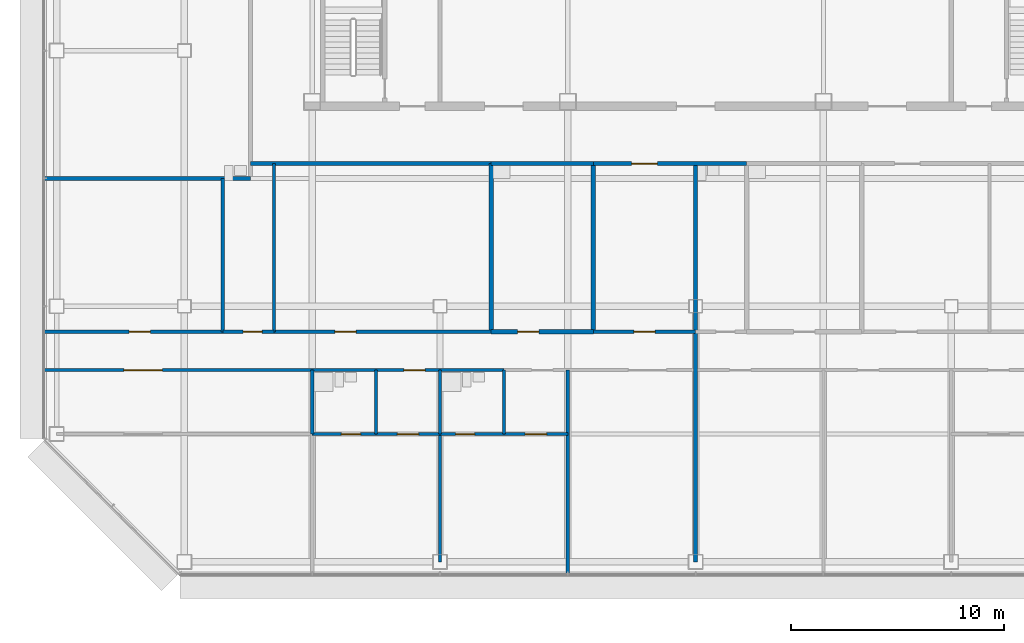
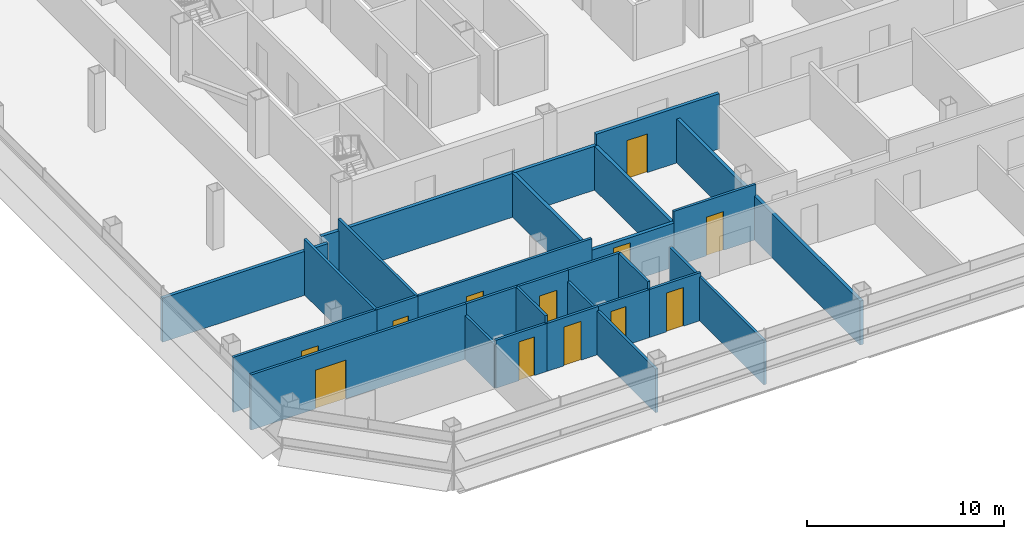
# One storey, part 19 of 26: 28 walls, 12 doors, 12 openings.
"""IFC4 building model written with IfcOpenShell, lengths in metres."""

from ifc_helpers import new_model, si_unit, direction, frame, frame_2d, origin, place, context, subcontext, project, spatial, rectangle, extrude, material, layer, layer_set, type_object, element, fill, save


model = new_model("IFC4")

# Units and contexts
model_context = context("Model", 3, precision=1e-05, world=origin(), true_north=direction((0.0, 1.0)))
body_context = subcontext(model_context, "Body", "Model", "MODEL_VIEW")
ifc_project = project(units=[si_unit("LENGTHUNIT", "METRE"), si_unit("AREAUNIT", "SQUARE_METRE"), si_unit("VOLUMEUNIT", "CUBIC_METRE"), si_unit("PLANEANGLEUNIT", "RADIAN"), si_unit("MASSUNIT", "GRAM", prefix="KILO")], contexts=[model_context])

# Site, building, storey
site_placement = place(None, origin())
site = spatial("IfcSite", under=ifc_project, at=site_placement, CompositionType="ELEMENT")
building_placement = place(site_placement, origin())
building = spatial("IfcBuilding", under=site, at=building_placement, Name="Sorahane Residences", CompositionType="ELEMENT")
storey_placement = place(building_placement, frame((0.0, 0.0, 154.60009765625)))
storey = spatial("IfcBuildingStorey", under=building, at=storey_placement, Name="L35", CompositionType="ELEMENT", Elevation=154.60009765625)

# Walls
ifc_material_1 = material(Name="Concrete blockwork C20 wall", Category="masonry")
ifc_layer_1 = layer(ifc_material_1, 0.199951171875)
ifc_layer_set_1 = layer_set([ifc_layer_1], Name="Corridor wall 200 EI 120")
wall_type_1 = type_object("IfcWallType", Name="Corridor wall 200 EI 120", PredefinedType="SOLIDWALL", material=ifc_layer_set_1)
wall_1_placement = place(storey_placement, frame((-6.60009765625, 18.0, 0.0), z_axis=(0.0, 0.0, 1.0), x_axis=(1.0, 0.0, 0.0)))
element("IfcWall", 1, at=wall_1_placement, inside=storey, type_object=wall_type_1, Name="L35 corridor wall", PredefinedType="SOLIDWALL", context=body_context, shape_type="SweptSolid", body=[
    extrude(rectangle(XDim=9.7001953125, YDim=0.199951171875, at=frame_2d((4.85009765625, 0.0))), origin(), (0.0, 0.0, 1.0), 2.719970703125),
])
wall_2_placement = place(storey_placement, frame((3.10009765625, 18.699951171875, 0.0), z_axis=(0.0, 0.0, 1.0), x_axis=(1.0, 0.0, 0.0)))
element("IfcWall", 2, at=wall_2_placement, inside=storey, type_object=wall_type_1, Name="L35 corridor wall", PredefinedType="SOLIDWALL", context=body_context, shape_type="SweptSolid", body=[
    extrude(rectangle(XDim=11.2998046875, YDim=0.199951171875, at=frame_2d((5.64990234375, 0.0))), origin(), (0.0, 0.0, 1.0), 2.719970703125),
])

# Wall, opening, door
wall_3_placement = place(storey_placement, frame((19.199951171875, 18.699951171875, 0.0), z_axis=(0.0, 0.0, 1.0), x_axis=(1.0, 0.0, 0.0)))
wall_3 = element("IfcWall", 3, at=wall_3_placement, inside=storey, type_object=wall_type_1, Name="L35 corridor wall", PredefinedType="SOLIDWALL", context=body_context, shape_type="SweptSolid", body=[
    extrude(rectangle(XDim=7.199951171875, YDim=0.199951171875, at=frame_2d((3.60009765625, 0.0))), origin(), (0.0, 0.0, 1.0), 3.419921875),
])
opening_1_placement = place(wall_3_placement, frame((1.800048828125, 0.0, 0.0)))
opening_1 = element("IfcOpeningElement", 4, at=opening_1_placement, cuts=wall_3, Name="Opening L35-42", PredefinedType="OPENING", context=body_context, shape_type="SweptSolid", body=[
    extrude(rectangle(XDim=1.199951171875, YDim=2.39990234375, at=frame_2d((0.60009765625, 1.199951171875))), frame((0.0, 0.10986328125, 0.0), z_axis=(0.0, -1.0, 0.0), x_axis=(1.0, 0.0, 0.0)), (0.0, 0.0, 1.0), 0.219970703125),
])
ifc_material_2 = material(Name="Timber veneered fire door", Category="wood")
door_type_1 = type_object("IfcDoorType", Name="Flat entrance door 1200x2400 FD60", OperationType="NOTDEFINED", PredefinedType="DOOR", material=ifc_material_2)
door_1_placement = place(opening_1_placement, frame((1.199951171875, 0.0, 0.0), z_axis=(0.0, 0.0, 1.0), x_axis=(-1.0, 0.0, 0.0)))
door_1 = element("IfcDoor", 5, at=door_1_placement, inside=storey, type_object=door_type_1, Name="Flat entrance door L35-42", OperationType="SINGLE_SWING_LEFT", OverallHeight=2.39990234375, OverallWidth=1.199951171875, PredefinedType="DOOR", context=body_context, shape_type="SweptSolid", body=[
    extrude(rectangle(XDim=1.199951171875, YDim=2.39990234375, at=frame_2d((0.60009765625, 1.199951171875))), frame((0.0, 0.02490234375, 0.0), z_axis=(0.0, -1.0, 0.0), x_axis=(1.0, 0.0, 0.0)), (0.0, 0.0, 1.0), 0.050048828125),
])
fill(opening_1, door_1)

# Walls
ifc_material_3 = material(Name="Concrete blockwork C20 wall", Category="masonry")
ifc_layer_2 = layer(ifc_material_3, 0.199951171875)
ifc_layer_set_2 = layer_set([ifc_layer_2], Name="Kitchen wall 200 EI 180")
wall_type_2 = type_object("IfcWallType", Name="Kitchen wall 200 EI 180", PredefinedType="SOLIDWALL", material=ifc_layer_set_2)
for number, where, z_axis, x_axis, name in (
    (6, (14.39990234375, 10.800048828125, 0.0), (0.0, 0.0, 1.0), (0.0, 1.0, 0.0), "L35 kitchen wall"),
    (7, (19.199951171875, 10.800048828125, 0.0), (0.0, 0.0, 1.0), (0.0, 1.0, 0.0), "L35 kitchen wall"),
):
    element("IfcWall", number, at=place(storey_placement, frame(where, z_axis=z_axis, x_axis=x_axis)), inside=storey, type_object=wall_type_2, Name=name, PredefinedType="SOLIDWALL", context=body_context, shape_type="SweptSolid", body=[
        extrude(rectangle(XDim=7.89990234375, YDim=0.199951171875, at=frame_2d((3.949951171875, 0.0))), origin(), (0.0, 0.0, 1.0), 2.719970703125),
    ])

# Wall, opening, door
wall_4_placement = place(storey_placement, frame((14.39990234375, 10.800048828125, 0.0), z_axis=(0.0, 0.0, 1.0), x_axis=(1.0, 0.0, 0.0)))
wall_4 = element("IfcWall", 8, at=wall_4_placement, inside=storey, type_object=wall_type_2, Name="L35 kitchen wall", PredefinedType="SOLIDWALL", context=body_context, shape_type="SweptSolid", body=[
    extrude(rectangle(XDim=4.800048828125, YDim=0.199951171875, at=frame_2d((2.39990234375, 0.0))), origin(), (0.0, 0.0, 1.0), 2.719970703125),
])
opening_2_placement = place(wall_4_placement, frame((1.239990234375, 0.0, 0.0)))
opening_2 = element("IfcOpeningElement", 9, at=opening_2_placement, cuts=wall_4, Name="Opening L35-05", PredefinedType="OPENING", context=body_context, shape_type="SweptSolid", body=[
    extrude(rectangle(XDim=1.0, YDim=2.39990234375, at=frame_2d((0.5, 1.199951171875))), frame((0.0, 0.10986328125, 0.0), z_axis=(0.0, -1.0, 0.0), x_axis=(1.0, 0.0, 0.0)), (0.0, 0.0, 1.0), 0.219970703125),
])
ifc_material_4 = material(Name="Steel", Category="steel")
door_type_2 = type_object("IfcDoorType", Name="Kitchen door 1000x2400 FD120", OperationType="NOTDEFINED", PredefinedType="DOOR", material=ifc_material_4)
door_2_placement = place(opening_2_placement, origin())
door_2 = element("IfcDoor", 10, at=door_2_placement, inside=storey, type_object=door_type_2, Name="Kitchen door L35-05", OperationType="SINGLE_SWING_LEFT", OverallHeight=2.39990234375, OverallWidth=1.0, PredefinedType="DOOR", context=body_context, shape_type="SweptSolid", body=[
    extrude(rectangle(XDim=1.0, YDim=2.39990234375, at=frame_2d((0.5, 1.199951171875))), frame((0.0, 0.02490234375, 0.0), z_axis=(0.0, -1.0, 0.0), x_axis=(1.0, 0.0, 0.0)), (0.0, 0.0, 1.0), 0.050048828125),
])
fill(opening_2, door_2)

# Walls
wall_5_placement = place(storey_placement, frame((14.39990234375, 18.699951171875, 0.0), z_axis=(0.0, 0.0, 1.0), x_axis=(1.0, 0.0, 0.0)))
element("IfcWall", 11, at=wall_5_placement, inside=storey, type_object=wall_type_2, Name="L35 kitchen wall", PredefinedType="SOLIDWALL", context=body_context, shape_type="SweptSolid", body=[
    extrude(rectangle(XDim=4.800048828125, YDim=0.199951171875, at=frame_2d((2.39990234375, 0.0))), origin(), (0.0, 0.0, 1.0), 2.719970703125),
])
ifc_material_5 = material(Name="Gypsum board partition on steel studs", Category="steel")
ifc_layer_3 = layer(ifc_material_5, 0.14990234375)
ifc_layer_set_3 = layer_set([ifc_layer_3], Name="Partition 150 EI 90")
wall_type_3 = type_object("IfcWallType", Name="Partition 150 EI 90", PredefinedType="PARTITIONING", material=ifc_layer_set_3)
wall_6_placement = place(storey_placement, frame((12.0, 0.0, 0.0), z_axis=(0.0, 0.0, 1.0), x_axis=(0.0, 1.0, 0.0)))
element("IfcWall", 12, at=wall_6_placement, inside=storey, type_object=wall_type_3, Name="L35 partition", PredefinedType="PARTITIONING", context=body_context, shape_type="SweptSolid", body=[
    extrude(rectangle(XDim=6.0, YDim=0.14990234375, at=frame_2d((3.0, 0.0))), origin(), (0.0, 0.0, 1.0), 2.719970703125),
])
wall_7_placement = place(storey_placement, frame((18.0, -0.60009765625, 0.0), z_axis=(0.0, 0.0, 1.0), x_axis=(0.0, 1.0, 0.0)))
element("IfcWall", 13, at=wall_7_placement, inside=storey, type_object=wall_type_3, Name="L35 partition", PredefinedType="PARTITIONING", context=body_context, shape_type="SweptSolid", body=[
    extrude(rectangle(XDim=9.60009765625, YDim=0.14990234375, at=frame_2d((4.800048828125, 0.0))), origin(), (0.0, 0.0, 1.0), 2.719970703125),
])

# Wall, opening, door
wall_8_placement = place(storey_placement, frame((-6.60009765625, 10.800048828125, 0.0), z_axis=(0.0, 0.0, 1.0), x_axis=(1.0, 0.0, 0.0)))
wall_8 = element("IfcWall", 14, at=wall_8_placement, inside=storey, type_object=wall_type_3, Name="L35 partition", PredefinedType="PARTITIONING", context=body_context, shape_type="SweptSolid", body=[
    extrude(rectangle(XDim=8.400146484375, YDim=0.14990234375, at=frame_2d((4.2001953125, 0.0))), origin(), (0.0, 0.0, 1.0), 3.419921875),
])
opening_3_placement = place(wall_8_placement, frame((4.0, 0.0, 0.0)))
opening_3 = element("IfcOpeningElement", 15, at=opening_3_placement, cuts=wall_8, Name="Opening L35-02", PredefinedType="OPENING", context=body_context, shape_type="SweptSolid", body=[
    extrude(rectangle(XDim=1.0, YDim=2.39990234375, at=frame_2d((0.5, 1.199951171875))), frame((0.0, 0.0849609375, 0.0), z_axis=(0.0, -1.0, 0.0), x_axis=(1.0, 0.0, 0.0)), (0.0, 0.0, 1.0), 0.169921875),
])
ifc_material_6 = material(Name="Timber veneered fire door", Category="wood")
door_type_3 = type_object("IfcDoorType", Name="Room door 1000x2400 FD30", OperationType="NOTDEFINED", PredefinedType="DOOR", material=ifc_material_6)
door_3_placement = place(opening_3_placement, origin())
door_3 = element("IfcDoor", 16, at=door_3_placement, inside=storey, type_object=door_type_3, Name="Room door L35-02", OperationType="SINGLE_SWING_LEFT", OverallHeight=2.39990234375, OverallWidth=1.0, PredefinedType="DOOR", context=body_context, shape_type="SweptSolid", body=[
    extrude(rectangle(XDim=1.0, YDim=2.39990234375, at=frame_2d((0.5, 1.199951171875))), frame((0.0, 0.02490234375, 0.0), z_axis=(0.0, -1.0, 0.0), x_axis=(1.0, 0.0, 0.0)), (0.0, 0.0, 1.0), 0.050048828125),
])
fill(opening_3, door_3)

wall_9_placement = place(storey_placement, frame((4.199951171875, 10.800048828125, 0.0), z_axis=(0.0, 0.0, 1.0), x_axis=(1.0, 0.0, 0.0)))
wall_9 = element("IfcWall", 17, at=wall_9_placement, inside=storey, type_object=wall_type_3, Name="L35 partition", PredefinedType="PARTITIONING", context=body_context, shape_type="SweptSolid", body=[
    extrude(rectangle(XDim=10.199951171875, YDim=0.14990234375, at=frame_2d((5.10009765625, 0.0))), origin(), (0.0, 0.0, 1.0), 3.419921875),
])
opening_4_placement = place(wall_9_placement, frame((2.860107421875, 0.0, 0.0)))
opening_4 = element("IfcOpeningElement", 18, at=opening_4_placement, cuts=wall_9, Name="Opening L35-04", PredefinedType="OPENING", context=body_context, shape_type="SweptSolid", body=[
    extrude(rectangle(XDim=1.0, YDim=2.39990234375, at=frame_2d((0.5, 1.199951171875))), frame((0.0, 0.0849609375, 0.0), z_axis=(0.0, -1.0, 0.0), x_axis=(1.0, 0.0, 0.0)), (0.0, 0.0, 1.0), 0.169921875),
])
door_4_placement = place(opening_4_placement, origin())
door_4 = element("IfcDoor", 19, at=door_4_placement, inside=storey, type_object=door_type_3, Name="Room door L35-04", OperationType="SINGLE_SWING_LEFT", OverallHeight=2.39990234375, OverallWidth=1.0, PredefinedType="DOOR", context=body_context, shape_type="SweptSolid", body=[
    extrude(rectangle(XDim=1.0, YDim=2.39990234375, at=frame_2d((0.5, 1.199951171875))), frame((0.0, 0.02490234375, 0.0), z_axis=(0.0, -1.0, 0.0), x_axis=(1.0, 0.0, 0.0)), (0.0, 0.0, 1.0), 0.050048828125),
])
fill(opening_4, door_4)

wall_10_placement = place(storey_placement, frame((19.199951171875, 10.800048828125, 0.0), z_axis=(0.0, 0.0, 1.0), x_axis=(1.0, 0.0, 0.0)))
wall_10 = element("IfcWall", 20, at=wall_10_placement, inside=storey, type_object=wall_type_3, Name="L35 partition", PredefinedType="PARTITIONING", context=body_context, shape_type="SweptSolid", body=[
    extrude(rectangle(XDim=4.800048828125, YDim=0.14990234375, at=frame_2d((2.39990234375, 0.0))), origin(), (0.0, 0.0, 1.0), 3.419921875),
])
opening_5_placement = place(wall_10_placement, frame((1.89990234375, 0.0, 0.0)))
opening_5 = element("IfcOpeningElement", 21, at=opening_5_placement, cuts=wall_10, Name="Opening L35-01", PredefinedType="OPENING", context=body_context, shape_type="SweptSolid", body=[
    extrude(rectangle(XDim=1.0, YDim=2.39990234375, at=frame_2d((0.5, 1.199951171875))), frame((0.0, 0.0849609375, 0.0), z_axis=(0.0, -1.0, 0.0), x_axis=(1.0, 0.0, 0.0)), (0.0, 0.0, 1.0), 0.169921875),
])
door_5_placement = place(opening_5_placement, frame((1.0, 0.0, 0.0), z_axis=(0.0, 0.0, 1.0), x_axis=(-1.0, 0.0, 0.0)))
door_5 = element("IfcDoor", 22, at=door_5_placement, inside=storey, type_object=door_type_3, Name="Room door L35-01", OperationType="SINGLE_SWING_LEFT", OverallHeight=2.39990234375, OverallWidth=1.0, PredefinedType="DOOR", context=body_context, shape_type="SweptSolid", body=[
    extrude(rectangle(XDim=1.0, YDim=2.39990234375, at=frame_2d((0.5, 1.199951171875))), frame((0.0, 0.02490234375, 0.0), z_axis=(0.0, -1.0, 0.0), x_axis=(1.0, 0.0, 0.0)), (0.0, 0.0, 1.0), 0.050048828125),
])
fill(opening_5, door_5)

wall_11_placement = place(storey_placement, frame((9.0, 6.0, 0.0), z_axis=(0.0, 0.0, 1.0), x_axis=(1.0, 0.0, 0.0)))
wall_11 = element("IfcWall", 23, at=wall_11_placement, inside=storey, type_object=wall_type_3, Name="L35 partition", PredefinedType="PARTITIONING", context=body_context, shape_type="SweptSolid", body=[
    extrude(rectangle(XDim=3.0, YDim=0.14990234375, at=frame_2d((1.5, 0.0))), origin(), (0.0, 0.0, 1.0), 2.969970703125),
])
opening_6_placement = place(wall_11_placement, frame((1.0, 0.0, 0.0)))
opening_6 = element("IfcOpeningElement", 24, at=opening_6_placement, cuts=wall_11, Name="Opening L35-11", PredefinedType="OPENING", context=body_context, shape_type="SweptSolid", body=[
    extrude(rectangle(XDim=1.0, YDim=2.39990234375, at=frame_2d((0.5, 1.199951171875))), frame((0.0, 0.0849609375, 0.0), z_axis=(0.0, -1.0, 0.0), x_axis=(1.0, 0.0, 0.0)), (0.0, 0.0, 1.0), 0.169921875),
])
door_6_placement = place(opening_6_placement, frame((1.0, 0.0, 0.0), z_axis=(0.0, 0.0, 1.0), x_axis=(-1.0, 0.0, 0.0)))
door_6 = element("IfcDoor", 25, at=door_6_placement, inside=storey, type_object=door_type_3, Name="Room door L35-11", OperationType="SINGLE_SWING_LEFT", OverallHeight=2.39990234375, OverallWidth=1.0, PredefinedType="DOOR", context=body_context, shape_type="SweptSolid", body=[
    extrude(rectangle(XDim=1.0, YDim=2.39990234375, at=frame_2d((0.5, 1.199951171875))), frame((0.0, 0.02490234375, 0.0), z_axis=(0.0, -1.0, 0.0), x_axis=(1.0, 0.0, 0.0)), (0.0, 0.0, 1.0), 0.050048828125),
])
fill(opening_6, door_6)

wall_12_placement = place(storey_placement, frame((15.0, 6.0, 0.0), z_axis=(0.0, 0.0, 1.0), x_axis=(1.0, 0.0, 0.0)))
wall_12 = element("IfcWall", 26, at=wall_12_placement, inside=storey, type_object=wall_type_3, Name="L35 partition", PredefinedType="PARTITIONING", context=body_context, shape_type="SweptSolid", body=[
    extrude(rectangle(XDim=3.0, YDim=0.14990234375, at=frame_2d((1.5, 0.0))), origin(), (0.0, 0.0, 1.0), 2.969970703125),
])
opening_7_placement = place(wall_12_placement, frame((1.0, 0.0, 0.0)))
opening_7 = element("IfcOpeningElement", 27, at=opening_7_placement, cuts=wall_12, Name="Opening L35-13", PredefinedType="OPENING", context=body_context, shape_type="SweptSolid", body=[
    extrude(rectangle(XDim=1.0, YDim=2.39990234375, at=frame_2d((0.5, 1.199951171875))), frame((0.0, 0.0849609375, 0.0), z_axis=(0.0, -1.0, 0.0), x_axis=(1.0, 0.0, 0.0)), (0.0, 0.0, 1.0), 0.169921875),
])
door_7_placement = place(opening_7_placement, frame((1.0, 0.0, 0.0), z_axis=(0.0, 0.0, 1.0), x_axis=(-1.0, 0.0, 0.0)))
door_7 = element("IfcDoor", 28, at=door_7_placement, inside=storey, type_object=door_type_3, Name="Room door L35-13", OperationType="SINGLE_SWING_LEFT", OverallHeight=2.39990234375, OverallWidth=1.0, PredefinedType="DOOR", context=body_context, shape_type="SweptSolid", body=[
    extrude(rectangle(XDim=1.0, YDim=2.39990234375, at=frame_2d((0.5, 1.199951171875))), frame((0.0, 0.02490234375, 0.0), z_axis=(0.0, -1.0, 0.0), x_axis=(1.0, 0.0, 0.0)), (0.0, 0.0, 1.0), 0.050048828125),
])
fill(opening_7, door_7)

wall_13_placement = place(storey_placement, frame((-6.60009765625, 9.0, 0.0), z_axis=(0.0, 0.0, 1.0), x_axis=(1.0, 0.0, 0.0)))
wall_13 = element("IfcWall", 29, at=wall_13_placement, inside=storey, type_object=wall_type_3, Name="L35 partition", PredefinedType="PARTITIONING", context=body_context, shape_type="SweptSolid", body=[
    extrude(rectangle(XDim=12.60009765625, YDim=0.14990234375, at=frame_2d((6.300048828125, 0.0))), origin(), (0.0, 0.0, 1.0), 3.419921875),
])
opening_8_placement = place(wall_13_placement, frame((3.760009765625, 0.0, 0.0)))
opening_8 = element("IfcOpeningElement", 30, at=opening_8_placement, cuts=wall_13, Name="Opening L35-06", PredefinedType="OPENING", context=body_context, shape_type="SweptSolid", body=[
    extrude(rectangle(XDim=1.800048828125, YDim=2.39990234375, at=frame_2d((0.89990234375, 1.199951171875))), frame((0.0, 0.0849609375, 0.0), z_axis=(0.0, -1.0, 0.0), x_axis=(1.0, 0.0, 0.0)), (0.0, 0.0, 1.0), 0.169921875),
])
ifc_material_7 = material(Name="Timber veneered fire door", Category="wood")
door_type_4 = type_object("IfcDoorType", Name="Double door 1800x2400 FD30", OperationType="NOTDEFINED", PredefinedType="DOOR", material=ifc_material_7)
door_8_placement = place(opening_8_placement, frame((1.800048828125, 0.0, 0.0), z_axis=(0.0, 0.0, 1.0), x_axis=(-1.0, 0.0, 0.0)))
door_8 = element("IfcDoor", 31, at=door_8_placement, inside=storey, type_object=door_type_4, Name="Double door L35-06", OperationType="SINGLE_SWING_RIGHT", OverallHeight=2.39990234375, OverallWidth=1.800048828125, PredefinedType="DOOR", context=body_context, shape_type="SweptSolid", body=[
    extrude(rectangle(XDim=1.800048828125, YDim=2.39990234375, at=frame_2d((0.89990234375, 1.199951171875))), frame((0.0, 0.02490234375, 0.0), z_axis=(0.0, -1.0, 0.0), x_axis=(1.0, 0.0, 0.0)), (0.0, 0.0, 1.0), 0.050048828125),
])
fill(opening_8, door_8)

wall_14_placement = place(storey_placement, frame((9.0, 9.0, 0.0), z_axis=(0.0, 0.0, 1.0), x_axis=(1.0, 0.0, 0.0)))
wall_14 = element("IfcWall", 32, at=wall_14_placement, inside=storey, type_object=wall_type_3, Name="L35 partition", PredefinedType="PARTITIONING", context=body_context, shape_type="SweptSolid", body=[
    extrude(rectangle(XDim=3.0, YDim=0.14990234375, at=frame_2d((1.5, 0.0))), origin(), (0.0, 0.0, 1.0), 3.419921875),
])
opening_9_placement = place(wall_14_placement, frame((1.300048828125, 0.0, 0.0)))
opening_9 = element("IfcOpeningElement", 33, at=opening_9_placement, cuts=wall_14, Name="Opening L35-07", PredefinedType="OPENING", context=body_context, shape_type="SweptSolid", body=[
    extrude(rectangle(XDim=1.0, YDim=2.39990234375, at=frame_2d((0.5, 1.199951171875))), frame((0.0, 0.0849609375, 0.0), z_axis=(0.0, -1.0, 0.0), x_axis=(1.0, 0.0, 0.0)), (0.0, 0.0, 1.0), 0.169921875),
])
door_9_placement = place(opening_9_placement, frame((1.0, 0.0, 0.0), z_axis=(0.0, 0.0, 1.0), x_axis=(-1.0, 0.0, 0.0)))
door_9 = element("IfcDoor", 34, at=door_9_placement, inside=storey, type_object=door_type_3, Name="Room door L35-07", OperationType="SINGLE_SWING_LEFT", OverallHeight=2.39990234375, OverallWidth=1.0, PredefinedType="DOOR", context=body_context, shape_type="SweptSolid", body=[
    extrude(rectangle(XDim=1.0, YDim=2.39990234375, at=frame_2d((0.5, 1.199951171875))), frame((0.0, 0.02490234375, 0.0), z_axis=(0.0, -1.0, 0.0), x_axis=(1.0, 0.0, 0.0)), (0.0, 0.0, 1.0), 0.050048828125),
])
fill(opening_9, door_9)

# Walls
ifc_material_8 = material(Name="Concrete blockwork C20 wall", Category="masonry")
ifc_layer_4 = layer(ifc_material_8, 0.199951171875)
ifc_layer_set_4 = layer_set([ifc_layer_4], Name="Party wall 200 EI 120")
wall_type_4 = type_object("IfcWallType", Name="Party wall 200 EI 120", PredefinedType="SOLIDWALL", material=ifc_layer_set_4)
wall_15_placement = place(storey_placement, frame((24.0, 0.0, 0.0), z_axis=(0.0, 0.0, 1.0), x_axis=(0.0, 1.0, 0.0)))
element("IfcWall", 35, at=wall_15_placement, inside=storey, type_object=wall_type_4, Name="L35 party wall", PredefinedType="SOLIDWALL", context=body_context, shape_type="SweptSolid", body=[
    extrude(rectangle(XDim=18.699951171875, YDim=0.199951171875, at=frame_2d((9.35009765625, 0.0))), origin(), (0.0, 0.0, 1.0), 2.719970703125),
])
ifc_material_9 = material(Name="Gypsum board partition on steel studs", Category="steel")
ifc_layer_5 = layer(ifc_material_9, 0.14990234375)
ifc_layer_set_5 = layer_set([ifc_layer_5], Name="Wet wall 150 EI 90")
wall_type_5 = type_object("IfcWallType", Name="Wet wall 150 EI 90", PredefinedType="PARTITIONING", material=ifc_layer_set_5)
wall_16_placement = place(storey_placement, frame((1.800048828125, 10.800048828125, 0.0), z_axis=(0.0, 0.0, 1.0), x_axis=(0.0, 1.0, 0.0)))
element("IfcWall", 36, at=wall_16_placement, inside=storey, type_object=wall_type_5, Name="L35 wet wall", PredefinedType="PARTITIONING", context=body_context, shape_type="SweptSolid", body=[
    extrude(rectangle(XDim=7.199951171875, YDim=0.14990234375, at=frame_2d((3.60009765625, 0.0))), origin(), (0.0, 0.0, 1.0), 3.419921875),
])
wall_17_placement = place(storey_placement, frame((12.0, 6.0, 0.0), z_axis=(0.0, 0.0, 1.0), x_axis=(0.0, 1.0, 0.0)))
element("IfcWall", 37, at=wall_17_placement, inside=storey, type_object=wall_type_5, Name="L35 wet wall", PredefinedType="PARTITIONING", context=body_context, shape_type="SweptSolid", body=[
    extrude(rectangle(XDim=3.0, YDim=0.14990234375, at=frame_2d((1.5, 0.0))), origin(), (0.0, 0.0, 1.0), 2.719970703125),
])
wall_18_placement = place(storey_placement, frame((15.0, 6.0, 0.0), z_axis=(0.0, 0.0, 1.0), x_axis=(0.0, 1.0, 0.0)))
element("IfcWall", 38, at=wall_18_placement, inside=storey, type_object=wall_type_5, Name="L35 wet wall", PredefinedType="PARTITIONING", context=body_context, shape_type="SweptSolid", body=[
    extrude(rectangle(XDim=3.0, YDim=0.14990234375, at=frame_2d((1.5, 0.0))), origin(), (0.0, 0.0, 1.0), 3.419921875),
])
wall_19_placement = place(storey_placement, frame((4.199951171875, 10.800048828125, 0.0), z_axis=(0.0, 0.0, 1.0), x_axis=(0.0, 1.0, 0.0)))
element("IfcWall", 39, at=wall_19_placement, inside=storey, type_object=wall_type_5, Name="L35 wet wall", PredefinedType="PARTITIONING", context=body_context, shape_type="SweptSolid", body=[
    extrude(rectangle(XDim=7.89990234375, YDim=0.14990234375, at=frame_2d((3.949951171875, 0.0))), origin(), (0.0, 0.0, 1.0), 3.419921875),
])
wall_20_placement = place(storey_placement, frame((6.0, 6.0, 0.0), z_axis=(0.0, 0.0, 1.0), x_axis=(0.0, 1.0, 0.0)))
element("IfcWall", 40, at=wall_20_placement, inside=storey, type_object=wall_type_5, Name="L35 wet wall", PredefinedType="PARTITIONING", context=body_context, shape_type="SweptSolid", body=[
    extrude(rectangle(XDim=3.0, YDim=0.14990234375, at=frame_2d((1.5, 0.0))), origin(), (0.0, 0.0, 1.0), 2.719970703125),
])
wall_21_placement = place(storey_placement, frame((9.0, 6.0, 0.0), z_axis=(0.0, 0.0, 1.0), x_axis=(0.0, 1.0, 0.0)))
element("IfcWall", 41, at=wall_21_placement, inside=storey, type_object=wall_type_5, Name="L35 wet wall", PredefinedType="PARTITIONING", context=body_context, shape_type="SweptSolid", body=[
    extrude(rectangle(XDim=3.0, YDim=0.14990234375, at=frame_2d((1.5, 0.0))), origin(), (0.0, 0.0, 1.0), 3.419921875),
])

# Wall, opening, door
wall_22_placement = place(storey_placement, frame((1.800048828125, 10.800048828125, 0.0), z_axis=(0.0, 0.0, 1.0), x_axis=(1.0, 0.0, 0.0)))
wall_22 = element("IfcWall", 42, at=wall_22_placement, inside=storey, type_object=wall_type_5, Name="L35 wet wall", PredefinedType="PARTITIONING", context=body_context, shape_type="SweptSolid", body=[
    extrude(rectangle(XDim=2.39990234375, YDim=0.14990234375, at=frame_2d((1.199951171875, 0.0))), origin(), (0.0, 0.0, 1.0), 3.419921875),
])
opening_10_placement = place(wall_22_placement, frame((0.949951171875, 0.0, 0.0)))
opening_10 = element("IfcOpeningElement", 43, at=opening_10_placement, cuts=wall_22, Name="Opening L35-03", PredefinedType="OPENING", context=body_context, shape_type="SweptSolid", body=[
    extrude(rectangle(XDim=0.89990234375, YDim=2.39990234375, at=frame_2d((0.449951171875, 1.199951171875))), frame((0.0, 0.0849609375, 0.0), z_axis=(0.0, -1.0, 0.0), x_axis=(1.0, 0.0, 0.0)), (0.0, 0.0, 1.0), 0.169921875),
])
ifc_material_10 = material(Name="Timber veneered fire door", Category="wood")
door_type_5 = type_object("IfcDoorType", Name="Bathroom door 900x2400 FD30", OperationType="NOTDEFINED", PredefinedType="DOOR", material=ifc_material_10)
door_10_placement = place(opening_10_placement, frame((0.89990234375, 0.0, 0.0), z_axis=(0.0, 0.0, 1.0), x_axis=(-1.0, 0.0, 0.0)))
door_10 = element("IfcDoor", 44, at=door_10_placement, inside=storey, type_object=door_type_5, Name="Bathroom door L35-03", OperationType="SINGLE_SWING_RIGHT", OverallHeight=2.39990234375, OverallWidth=0.89990234375, PredefinedType="DOOR", context=body_context, shape_type="SweptSolid", body=[
    extrude(rectangle(XDim=0.89990234375, YDim=2.39990234375, at=frame_2d((0.449951171875, 1.199951171875))), frame((0.0, 0.02490234375, 0.0), z_axis=(0.0, -1.0, 0.0), x_axis=(1.0, 0.0, 0.0)), (0.0, 0.0, 1.0), 0.050048828125),
])
fill(opening_10, door_10)

wall_23_placement = place(storey_placement, frame((6.0, 6.0, 0.0), z_axis=(0.0, 0.0, 1.0), x_axis=(1.0, 0.0, 0.0)))
wall_23 = element("IfcWall", 45, at=wall_23_placement, inside=storey, type_object=wall_type_5, Name="L35 wet wall", PredefinedType="PARTITIONING", context=body_context, shape_type="SweptSolid", body=[
    extrude(rectangle(XDim=3.0, YDim=0.14990234375, at=frame_2d((1.5, 0.0))), origin(), (0.0, 0.0, 1.0), 2.969970703125),
])
opening_11_placement = place(wall_23_placement, frame((1.3701171875, 0.0, 0.0)))
opening_11 = element("IfcOpeningElement", 46, at=opening_11_placement, cuts=wall_23, Name="Opening L35-12", PredefinedType="OPENING", context=body_context, shape_type="SweptSolid", body=[
    extrude(rectangle(XDim=0.89990234375, YDim=2.39990234375, at=frame_2d((0.449951171875, 1.199951171875))), frame((0.0, 0.0849609375, 0.0), z_axis=(0.0, -1.0, 0.0), x_axis=(1.0, 0.0, 0.0)), (0.0, 0.0, 1.0), 0.169921875),
])
door_11_placement = place(opening_11_placement, frame((0.89990234375, 0.0, 0.0), z_axis=(0.0, 0.0, 1.0), x_axis=(-1.0, 0.0, 0.0)))
door_11 = element("IfcDoor", 47, at=door_11_placement, inside=storey, type_object=door_type_5, Name="Bathroom door L35-12", OperationType="SINGLE_SWING_RIGHT", OverallHeight=2.39990234375, OverallWidth=0.89990234375, PredefinedType="DOOR", context=body_context, shape_type="SweptSolid", body=[
    extrude(rectangle(XDim=0.89990234375, YDim=2.39990234375, at=frame_2d((0.449951171875, 1.199951171875))), frame((0.0, 0.02490234375, 0.0), z_axis=(0.0, -1.0, 0.0), x_axis=(1.0, 0.0, 0.0)), (0.0, 0.0, 1.0), 0.050048828125),
])
fill(opening_11, door_11)

wall_24_placement = place(storey_placement, frame((12.0, 6.0, 0.0), z_axis=(0.0, 0.0, 1.0), x_axis=(1.0, 0.0, 0.0)))
wall_24 = element("IfcWall", 48, at=wall_24_placement, inside=storey, type_object=wall_type_5, Name="L35 wet wall", PredefinedType="PARTITIONING", context=body_context, shape_type="SweptSolid", body=[
    extrude(rectangle(XDim=3.0, YDim=0.14990234375, at=frame_2d((1.5, 0.0))), origin(), (0.0, 0.0, 1.0), 2.969970703125),
])
opening_12_placement = place(wall_24_placement, frame((0.72998046875, 0.0, 0.0)))
opening_12 = element("IfcOpeningElement", 49, at=opening_12_placement, cuts=wall_24, Name="Opening L35-14", PredefinedType="OPENING", context=body_context, shape_type="SweptSolid", body=[
    extrude(rectangle(XDim=0.89990234375, YDim=2.39990234375, at=frame_2d((0.449951171875, 1.199951171875))), frame((0.0, 0.0849609375, 0.0), z_axis=(0.0, -1.0, 0.0), x_axis=(1.0, 0.0, 0.0)), (0.0, 0.0, 1.0), 0.169921875),
])
door_12_placement = place(opening_12_placement, frame((0.89990234375, 0.0, 0.0), z_axis=(0.0, 0.0, 1.0), x_axis=(-1.0, 0.0, 0.0)))
door_12 = element("IfcDoor", 50, at=door_12_placement, inside=storey, type_object=door_type_5, Name="Bathroom door L35-14", OperationType="SINGLE_SWING_LEFT", OverallHeight=2.39990234375, OverallWidth=0.89990234375, PredefinedType="DOOR", context=body_context, shape_type="SweptSolid", body=[
    extrude(rectangle(XDim=0.89990234375, YDim=2.39990234375, at=frame_2d((0.449951171875, 1.199951171875))), frame((0.0, 0.02490234375, 0.0), z_axis=(0.0, -1.0, 0.0), x_axis=(1.0, 0.0, 0.0)), (0.0, 0.0, 1.0), 0.050048828125),
])
fill(opening_12, door_12)

# Walls
for number, where, z_axis, x_axis, name in (
    (51, (6.0, 9.0, 0.0), (0.0, 0.0, 1.0), (1.0, 0.0, 0.0), "L35 wet wall"),
    (52, (12.0, 9.0, 0.0), (0.0, 0.0, 1.0), (1.0, 0.0, 0.0), "L35 wet wall"),
):
    element("IfcWall", number, at=place(storey_placement, frame(where, z_axis=z_axis, x_axis=x_axis)), inside=storey, type_object=wall_type_5, Name=name, PredefinedType="PARTITIONING", context=body_context, shape_type="SweptSolid", body=[
        extrude(rectangle(XDim=3.0, YDim=0.14990234375, at=frame_2d((1.5, 0.0))), origin(), (0.0, 0.0, 1.0), 3.419921875),
    ])

save(model, "model.ifc")
